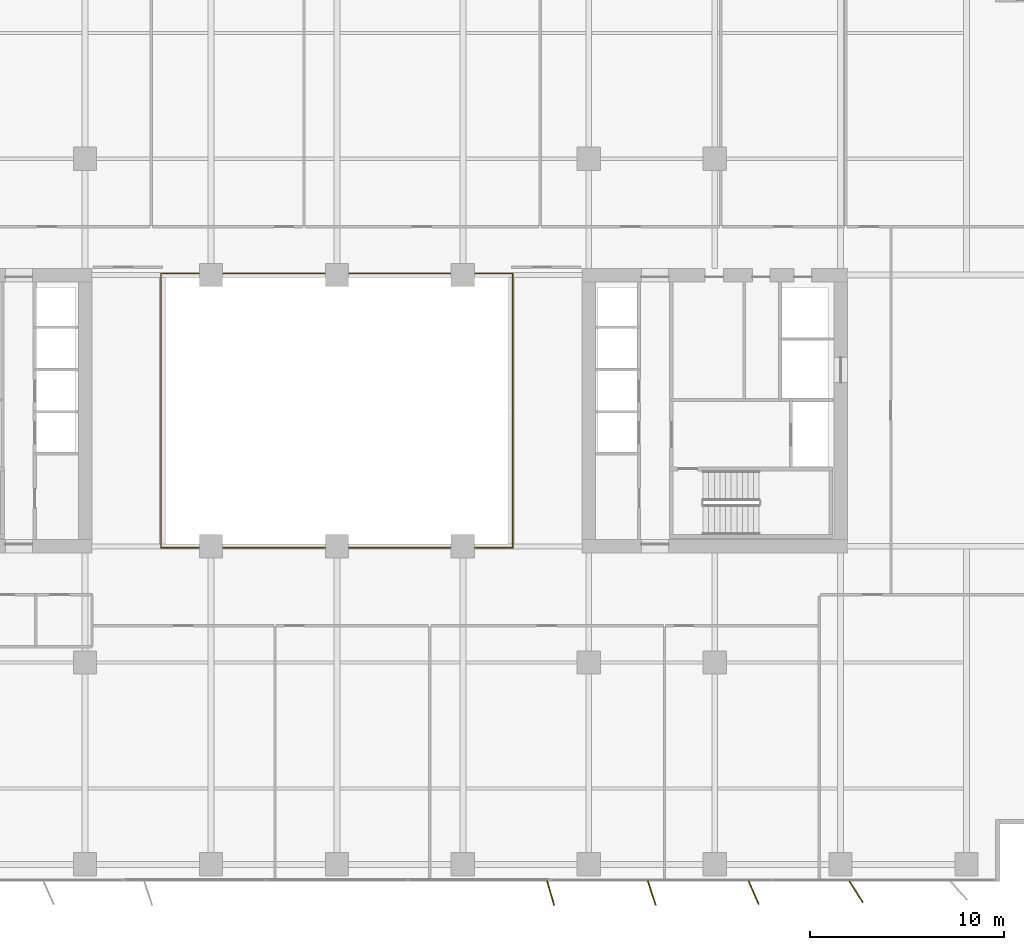
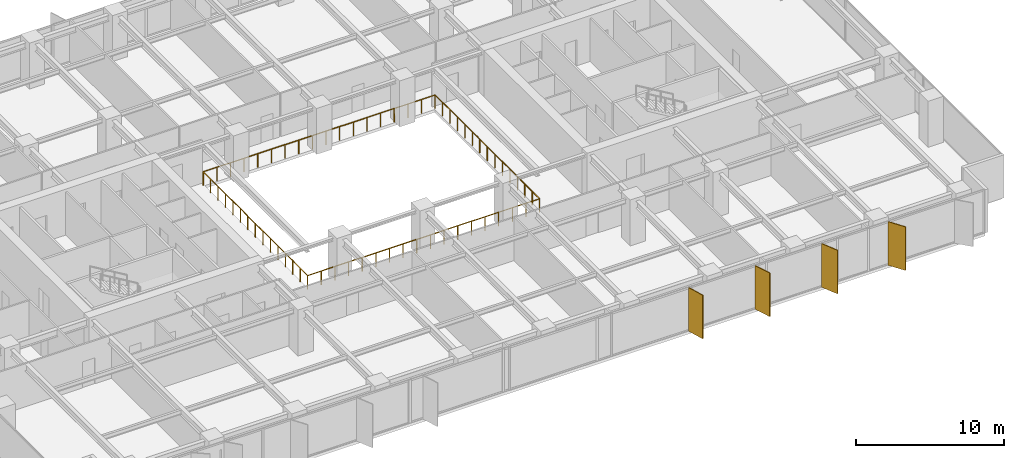
# One storey, part 18 of 20: 4 shading devices, 2 railings.
"""IFC4 building model written with IfcOpenShell, lengths in metres."""

from ifc_helpers import new_model, si_unit, direction, frame, origin, origin_2d, place, context, subcontext, project, spatial, rectangle, circle, extrude, material, layer, layer_set, type_object, element, save


model = new_model("IFC4")

# Units and contexts
model_context = context("Model", 3, precision=1e-05, world=origin(), true_north=direction((0.0, 1.0)))
body_context = subcontext(model_context, "Body", "Model", "MODEL_VIEW")
ifc_project = project(units=[si_unit("LENGTHUNIT", "METRE"), si_unit("AREAUNIT", "SQUARE_METRE"), si_unit("VOLUMEUNIT", "CUBIC_METRE"), si_unit("PLANEANGLEUNIT", "RADIAN"), si_unit("MASSUNIT", "GRAM", prefix="KILO")], contexts=[model_context])

# Site, building, storey
site_placement = place(None, origin())
site = spatial("IfcSite", under=ifc_project, at=site_placement, CompositionType="ELEMENT")
building_placement = place(site_placement, origin())
building = spatial("IfcBuilding", under=site, at=building_placement, Name="Putna Gate Headquarters", CompositionType="ELEMENT")
storey_placement = place(building_placement, frame((0.0, 0.0, 124.0)))
storey = spatial("IfcBuildingStorey", under=building, at=storey_placement, Name="L30", CompositionType="ELEMENT", Elevation=124.0)

# Railings
ifc_material_1 = material(Name="Anodised bronze and laminated glass atrium balustrade", Category="glass")
railing_type = type_object("IfcRailingType", Name="RAIL-ATRIUM-GUARD-1150", PredefinedType="GUARDRAIL", material=ifc_material_1)
railing_1_placement = place(storey_placement, frame((29.919921875, 25.969970703125, 0.0)))
element("IfcRailing", 1, at=railing_1_placement, inside=storey, type_object=railing_type, Name="L30 Central Atrium Glazed Balustrade South", PredefinedType="GUARDRAIL", context=body_context, shape_type="SweptSolid", body=[
    extrude(circle(Radius=0.02392578125, at=origin_2d()), frame((0.0, 0.0, 1.1259765625), z_axis=(0.0, -1.0, 0.0), x_axis=(1.0, 0.0, 0.0)), (0.0, 0.0, 1.0), 7.050048828125),
    extrude(circle(Radius=0.02392578125, at=origin_2d()), frame((0.0, -7.050048828125, 1.1259765625), z_axis=(1.0, 0.0, 0.0), x_axis=(0.0, 1.0, 0.0)), (0.0, 0.0, 1.0), 18.16015625),
    extrude(circle(Radius=0.02392578125, at=origin_2d()), frame((18.16015625, -7.050048828125, 1.1259765625), z_axis=(0.0, 1.0, 0.0), x_axis=(-1.0, 0.0, 0.0)), (0.0, 0.0, 1.0), 7.050048828125),
    extrude(circle(Radius=0.02099609375, at=origin_2d()), origin(), (0.0, 0.0, 1.0), 1.101806640625),
    extrude(circle(Radius=0.02099609375, at=origin_2d()), frame((0.0, -1.007080078125, 0.0)), (0.0, 0.0, 1.0), 1.101806640625),
    extrude(circle(Radius=0.02099609375, at=origin_2d()), frame((0.0, -2.014404296875, 0.0)), (0.0, 0.0, 1.0), 1.101806640625),
    extrude(circle(Radius=0.02099609375, at=origin_2d()), frame((0.0, -3.021484375, 0.0)), (0.0, 0.0, 1.0), 1.101806640625),
    extrude(circle(Radius=0.02099609375, at=origin_2d()), frame((0.0, -4.028564453125, 0.0)), (0.0, 0.0, 1.0), 1.101806640625),
    extrude(circle(Radius=0.02099609375, at=origin_2d()), frame((0.0, -5.03564453125, 0.0)), (0.0, 0.0, 1.0), 1.101806640625),
    extrude(circle(Radius=0.02099609375, at=origin_2d()), frame((0.0, -6.04296875, 0.0)), (0.0, 0.0, 1.0), 1.101806640625),
    extrude(circle(Radius=0.02099609375, at=origin_2d()), frame((0.0, -7.050048828125, 0.0)), (0.0, 0.0, 1.0), 1.101806640625),
    extrude(circle(Radius=0.02099609375, at=origin_2d()), frame((1.068359375, -7.050048828125, 0.0)), (0.0, 0.0, 1.0), 1.101806640625),
    extrude(circle(Radius=0.02099609375, at=origin_2d()), frame((2.136474609375, -7.050048828125, 0.0)), (0.0, 0.0, 1.0), 1.101806640625),
    extrude(circle(Radius=0.02099609375, at=origin_2d()), frame((3.204833984375, -7.050048828125, 0.0)), (0.0, 0.0, 1.0), 1.101806640625),
    extrude(circle(Radius=0.02099609375, at=origin_2d()), frame((4.27294921875, -7.050048828125, 0.0)), (0.0, 0.0, 1.0), 1.101806640625),
    extrude(circle(Radius=0.02099609375, at=origin_2d()), frame((5.34130859375, -7.050048828125, 0.0)), (0.0, 0.0, 1.0), 1.101806640625),
    extrude(circle(Radius=0.02099609375, at=origin_2d()), frame((6.409423828125, -7.050048828125, 0.0)), (0.0, 0.0, 1.0), 1.101806640625),
    extrude(circle(Radius=0.02099609375, at=origin_2d()), frame((7.477783203125, -7.050048828125, 0.0)), (0.0, 0.0, 1.0), 1.101806640625),
    extrude(circle(Radius=0.02099609375, at=origin_2d()), frame((8.5458984375, -7.050048828125, 0.0)), (0.0, 0.0, 1.0), 1.101806640625),
    extrude(circle(Radius=0.02099609375, at=origin_2d()), frame((9.6142578125, -7.050048828125, 0.0)), (0.0, 0.0, 1.0), 1.101806640625),
    extrude(circle(Radius=0.02099609375, at=origin_2d()), frame((10.682373046875, -7.050048828125, 0.0)), (0.0, 0.0, 1.0), 1.101806640625),
    extrude(circle(Radius=0.02099609375, at=origin_2d()), frame((11.750732421875, -7.050048828125, 0.0)), (0.0, 0.0, 1.0), 1.101806640625),
    extrude(circle(Radius=0.02099609375, at=origin_2d()), frame((12.81884765625, -7.050048828125, 0.0)), (0.0, 0.0, 1.0), 1.101806640625),
    extrude(circle(Radius=0.02099609375, at=origin_2d()), frame((13.88720703125, -7.050048828125, 0.0)), (0.0, 0.0, 1.0), 1.101806640625),
    extrude(circle(Radius=0.02099609375, at=origin_2d()), frame((14.955322265625, -7.050048828125, 0.0)), (0.0, 0.0, 1.0), 1.101806640625),
    extrude(circle(Radius=0.02099609375, at=origin_2d()), frame((16.023681640625, -7.050048828125, 0.0)), (0.0, 0.0, 1.0), 1.101806640625),
    extrude(circle(Radius=0.02099609375, at=origin_2d()), frame((17.091796875, -7.050048828125, 0.0)), (0.0, 0.0, 1.0), 1.101806640625),
    extrude(circle(Radius=0.02099609375, at=origin_2d()), frame((18.16015625, -7.050048828125, 0.0)), (0.0, 0.0, 1.0), 1.101806640625),
    extrude(circle(Radius=0.02099609375, at=origin_2d()), frame((18.16015625, -6.04296875, 0.0)), (0.0, 0.0, 1.0), 1.101806640625),
    extrude(circle(Radius=0.02099609375, at=origin_2d()), frame((18.16015625, -5.03564453125, 0.0)), (0.0, 0.0, 1.0), 1.101806640625),
    extrude(circle(Radius=0.02099609375, at=origin_2d()), frame((18.16015625, -4.028564453125, 0.0)), (0.0, 0.0, 1.0), 1.101806640625),
    extrude(circle(Radius=0.02099609375, at=origin_2d()), frame((18.16015625, -3.021484375, 0.0)), (0.0, 0.0, 1.0), 1.101806640625),
    extrude(circle(Radius=0.02099609375, at=origin_2d()), frame((18.16015625, -2.014404296875, 0.0)), (0.0, 0.0, 1.0), 1.101806640625),
    extrude(circle(Radius=0.02099609375, at=origin_2d()), frame((18.16015625, -1.007080078125, 0.0)), (0.0, 0.0, 1.0), 1.101806640625),
    extrude(circle(Radius=0.02099609375, at=origin_2d()), frame((18.16015625, 0.0, 0.0)), (0.0, 0.0, 1.0), 1.101806640625),
])
railing_2_placement = place(storey_placement, frame((48.080078125, 26.030029296875, 0.0)))
element("IfcRailing", 2, at=railing_2_placement, inside=storey, type_object=railing_type, Name="L30 Central Atrium Glazed Balustrade North", PredefinedType="GUARDRAIL", context=body_context, shape_type="SweptSolid", body=[
    extrude(circle(Radius=0.02392578125, at=origin_2d()), frame((0.0, 0.0, 1.1259765625), z_axis=(0.0, 1.0, 0.0), x_axis=(-1.0, 0.0, 0.0)), (0.0, 0.0, 1.0), 7.050048828125),
    extrude(circle(Radius=0.02392578125, at=origin_2d()), frame((0.0, 7.050048828125, 1.1259765625), z_axis=(-1.0, 0.0, 0.0), x_axis=(0.0, -1.0, 0.0)), (0.0, 0.0, 1.0), 18.16015625),
    extrude(circle(Radius=0.02392578125, at=origin_2d()), frame((-18.16015625, 7.050048828125, 1.1259765625), z_axis=(0.0, -1.0, 0.0), x_axis=(1.0, 0.0, 0.0)), (0.0, 0.0, 1.0), 7.050048828125),
    extrude(circle(Radius=0.02099609375, at=origin_2d()), origin(), (0.0, 0.0, 1.0), 1.101806640625),
    extrude(circle(Radius=0.02099609375, at=origin_2d()), frame((0.0, 1.007080078125, 0.0)), (0.0, 0.0, 1.0), 1.101806640625),
    extrude(circle(Radius=0.02099609375, at=origin_2d()), frame((0.0, 2.014404296875, 0.0)), (0.0, 0.0, 1.0), 1.101806640625),
    extrude(circle(Radius=0.02099609375, at=origin_2d()), frame((0.0, 3.021484375, 0.0)), (0.0, 0.0, 1.0), 1.101806640625),
    extrude(circle(Radius=0.02099609375, at=origin_2d()), frame((0.0, 4.028564453125, 0.0)), (0.0, 0.0, 1.0), 1.101806640625),
    extrude(circle(Radius=0.02099609375, at=origin_2d()), frame((0.0, 5.03564453125, 0.0)), (0.0, 0.0, 1.0), 1.101806640625),
    extrude(circle(Radius=0.02099609375, at=origin_2d()), frame((0.0, 6.04296875, 0.0)), (0.0, 0.0, 1.0), 1.101806640625),
    extrude(circle(Radius=0.02099609375, at=origin_2d()), frame((0.0, 7.050048828125, 0.0)), (0.0, 0.0, 1.0), 1.101806640625),
    extrude(circle(Radius=0.02099609375, at=origin_2d()), frame((-1.068359375, 7.050048828125, 0.0)), (0.0, 0.0, 1.0), 1.101806640625),
    extrude(circle(Radius=0.02099609375, at=origin_2d()), frame((-2.136474609375, 7.050048828125, 0.0)), (0.0, 0.0, 1.0), 1.101806640625),
    extrude(circle(Radius=0.02099609375, at=origin_2d()), frame((-3.204833984375, 7.050048828125, 0.0)), (0.0, 0.0, 1.0), 1.101806640625),
    extrude(circle(Radius=0.02099609375, at=origin_2d()), frame((-4.27294921875, 7.050048828125, 0.0)), (0.0, 0.0, 1.0), 1.101806640625),
    extrude(circle(Radius=0.02099609375, at=origin_2d()), frame((-5.34130859375, 7.050048828125, 0.0)), (0.0, 0.0, 1.0), 1.101806640625),
    extrude(circle(Radius=0.02099609375, at=origin_2d()), frame((-6.409423828125, 7.050048828125, 0.0)), (0.0, 0.0, 1.0), 1.101806640625),
    extrude(circle(Radius=0.02099609375, at=origin_2d()), frame((-7.477783203125, 7.050048828125, 0.0)), (0.0, 0.0, 1.0), 1.101806640625),
    extrude(circle(Radius=0.02099609375, at=origin_2d()), frame((-8.5458984375, 7.050048828125, 0.0)), (0.0, 0.0, 1.0), 1.101806640625),
    extrude(circle(Radius=0.02099609375, at=origin_2d()), frame((-9.6142578125, 7.050048828125, 0.0)), (0.0, 0.0, 1.0), 1.101806640625),
    extrude(circle(Radius=0.02099609375, at=origin_2d()), frame((-10.682373046875, 7.050048828125, 0.0)), (0.0, 0.0, 1.0), 1.101806640625),
    extrude(circle(Radius=0.02099609375, at=origin_2d()), frame((-11.750732421875, 7.050048828125, 0.0)), (0.0, 0.0, 1.0), 1.101806640625),
    extrude(circle(Radius=0.02099609375, at=origin_2d()), frame((-12.81884765625, 7.050048828125, 0.0)), (0.0, 0.0, 1.0), 1.101806640625),
    extrude(circle(Radius=0.02099609375, at=origin_2d()), frame((-13.88720703125, 7.050048828125, 0.0)), (0.0, 0.0, 1.0), 1.101806640625),
    extrude(circle(Radius=0.02099609375, at=origin_2d()), frame((-14.955322265625, 7.050048828125, 0.0)), (0.0, 0.0, 1.0), 1.101806640625),
    extrude(circle(Radius=0.02099609375, at=origin_2d()), frame((-16.023681640625, 7.050048828125, 0.0)), (0.0, 0.0, 1.0), 1.101806640625),
    extrude(circle(Radius=0.02099609375, at=origin_2d()), frame((-17.091796875, 7.050048828125, 0.0)), (0.0, 0.0, 1.0), 1.101806640625),
    extrude(circle(Radius=0.02099609375, at=origin_2d()), frame((-18.16015625, 7.050048828125, 0.0)), (0.0, 0.0, 1.0), 1.101806640625),
    extrude(circle(Radius=0.02099609375, at=origin_2d()), frame((-18.16015625, 6.04296875, 0.0)), (0.0, 0.0, 1.0), 1.101806640625),
    extrude(circle(Radius=0.02099609375, at=origin_2d()), frame((-18.16015625, 5.03564453125, 0.0)), (0.0, 0.0, 1.0), 1.101806640625),
    extrude(circle(Radius=0.02099609375, at=origin_2d()), frame((-18.16015625, 4.028564453125, 0.0)), (0.0, 0.0, 1.0), 1.101806640625),
    extrude(circle(Radius=0.02099609375, at=origin_2d()), frame((-18.16015625, 3.021484375, 0.0)), (0.0, 0.0, 1.0), 1.101806640625),
    extrude(circle(Radius=0.02099609375, at=origin_2d()), frame((-18.16015625, 2.014404296875, 0.0)), (0.0, 0.0, 1.0), 1.101806640625),
    extrude(circle(Radius=0.02099609375, at=origin_2d()), frame((-18.16015625, 1.007080078125, 0.0)), (0.0, 0.0, 1.0), 1.101806640625),
    extrude(circle(Radius=0.02099609375, at=origin_2d()), frame((-18.16015625, 0.0, 0.0)), (0.0, 0.0, 1.0), 1.101806640625),
])

# Shading devices
ifc_material_2 = material(Name="Anodised architectural bronze aluminium fin", Category="aluminium")
ifc_layer = layer(ifc_material_2, 0.06494140625)
ifc_layer_set = layer_set([ifc_layer], Name="Anodised architectural bronze aluminium fin")
shading_device_type = type_object("IfcShadingDeviceType", Name="SHADE-BRONZE-FIN-1320", PredefinedType="USERDEFINED", material=ifc_layer_set)
for number, where, z_axis, x_axis, name in (
    (3, (50.031982421875, 1.090576171875, -0.02001953125), (0.0, 0.0, 1.0), (0.275637355817, -0.961261695938, 0.0), "L30 Bronze Vertical Shading Fin S8"),
    (4, (55.253662109375, 1.09716796875, -0.02001953125), (0.0, 0.0, 1.0), (0.308684994204, -0.951164325631, 0.0), "L30 Bronze Vertical Shading Fin S9"),
    (5, (60.514404296875, 1.120361328125, -0.02001953125), (0.0, 0.0, 1.0), (0.400668879095, -0.916222925562, 0.0), "L30 Bronze Vertical Shading Fin S10"),
    (6, (65.80029296875, 1.16552734375, -0.02001953125), (0.0, 0.0, 1.0), (0.530659123936, -0.847585331506, 0.0), "L30 Bronze Vertical Shading Fin S11"),
):
    element("IfcShadingDevice", number, at=place(storey_placement, frame(where, z_axis=z_axis, x_axis=x_axis)), inside=storey, type_object=shading_device_type, Name=name, ObjectType="FIN", PredefinedType="USERDEFINED", context=body_context, shape_type="SweptSolid", body=[
        extrude(rectangle(XDim=1.320068359375, YDim=0.06494140625, at=origin_2d()), origin(), (0.0, 0.0, 1.0), 3.60498046875),
    ])

save(model, "model.ifc")
